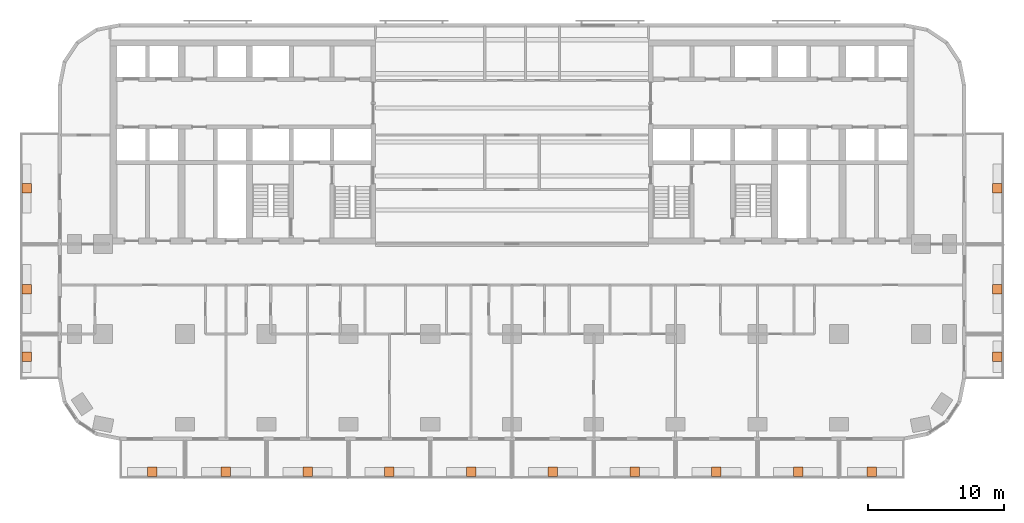
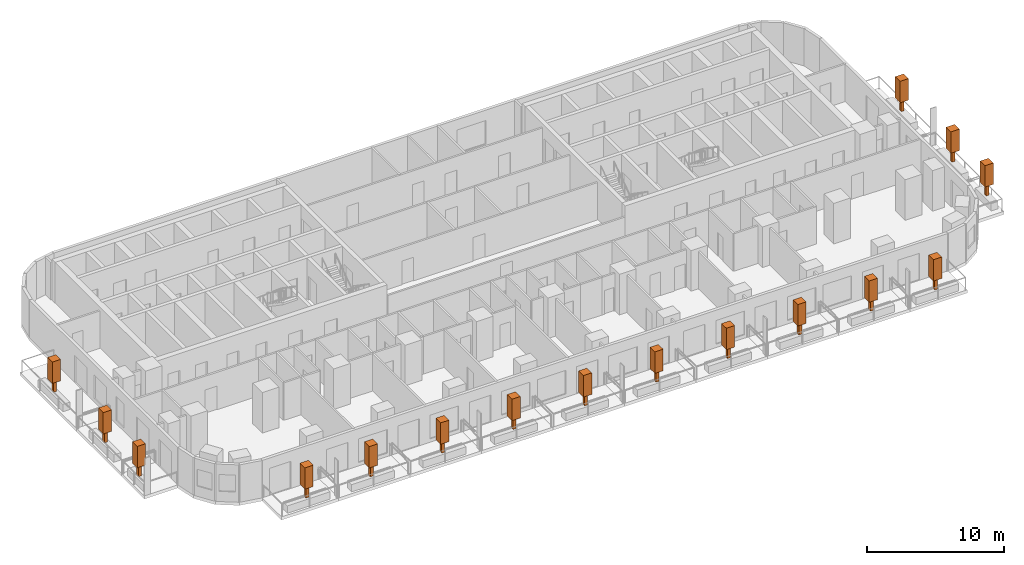
# One storey, part 14 of 14: 16 geographic elements.
"""IFC4 building model written with IfcOpenShell, lengths in metres."""

from ifc_helpers import new_model, si_unit, direction, frame, origin, origin_2d, place, context, subcontext, project, spatial, rectangle, extrude, material, element, save


model = new_model("IFC4")

# Units and contexts
model_context = context("Model", 3, precision=1e-05, world=origin(), true_north=direction((0.0, 1.0)))
body_context = subcontext(model_context, "Body", "Model", "MODEL_VIEW")
ifc_project = project(units=[si_unit("LENGTHUNIT", "METRE"), si_unit("AREAUNIT", "SQUARE_METRE"), si_unit("VOLUMEUNIT", "CUBIC_METRE"), si_unit("PLANEANGLEUNIT", "RADIAN"), si_unit("MASSUNIT", "GRAM", prefix="KILO")], contexts=[model_context])

# Site, building, storey
site_placement = place(None, origin())
site = spatial("IfcSite", under=ifc_project, at=site_placement, CompositionType="ELEMENT")
building_placement = place(site_placement, origin())
building = spatial("IfcBuilding", under=site, at=building_placement, Name="Torana Hotel and Residences", CompositionType="ELEMENT")
storey_placement = place(building_placement, frame((0.0, 0.0, 99.60009765625)))
storey = spatial("IfcBuildingStorey", under=building, at=storey_placement, Name="L25", CompositionType="ELEMENT", Elevation=99.60009765625)

# Geographic elements
ifc_material = material(Name="Foliage", Category="planting")
for number, where, z_axis, x_axis, name in (
    (1, (-26.39990234375, -31.699951171875, 0.64990234375), (0.0, 0.0, 1.0), (1.0, 0.0, 0.0), "Tree 01"),
    (2, (-21.0, -31.699951171875, 0.64990234375), (0.0, 0.0, 1.0), (1.0, 0.0, 0.0), "Tree 02"),
    (3, (-15.0, -31.699951171875, 0.64990234375), (0.0, 0.0, 1.0), (1.0, 0.0, 0.0), "Tree 03"),
    (4, (-9.0, -31.699951171875, 0.64990234375), (0.0, 0.0, 1.0), (1.0, 0.0, 0.0), "Tree 04"),
    (5, (-3.0, -31.699951171875, 0.64990234375), (0.0, 0.0, 1.0), (1.0, 0.0, 0.0), "Tree 05"),
    (6, (3.0, -31.699951171875, 0.64990234375), (0.0, 0.0, 1.0), (1.0, 0.0, 0.0), "Tree 06"),
    (7, (9.0, -31.699951171875, 0.64990234375), (0.0, 0.0, 1.0), (1.0, 0.0, 0.0), "Tree 07"),
    (8, (15.0, -31.699951171875, 0.64990234375), (0.0, 0.0, 1.0), (1.0, 0.0, 0.0), "Tree 08"),
    (9, (21.0, -31.699951171875, 0.64990234375), (0.0, 0.0, 1.0), (1.0, 0.0, 0.0), "Tree 09"),
    (10, (26.39990234375, -31.699951171875, 0.64990234375), (0.0, 0.0, 1.0), (1.0, 0.0, 0.0), "Tree 10"),
    (11, (-35.60009765625, -23.25, 0.64990234375), (0.0, 0.0, 1.0), (1.0, 0.0, 0.0), "Tree 11"),
    (12, (-35.60009765625, -18.300048828125, 0.64990234375), (0.0, 0.0, 1.0), (1.0, 0.0, 0.0), "Tree 12"),
    (13, (-35.60009765625, -10.89990234375, 0.64990234375), (0.0, 0.0, 1.0), (1.0, 0.0, 0.0), "Tree 13"),
    (14, (35.60009765625, -23.25, 0.64990234375), (0.0, 0.0, 1.0), (1.0, 0.0, 0.0), "Tree 14"),
    (15, (35.60009765625, -18.300048828125, 0.64990234375), (0.0, 0.0, 1.0), (1.0, 0.0, 0.0), "Tree 15"),
    (16, (35.60009765625, -10.89990234375, 0.64990234375), (0.0, 0.0, 1.0), (1.0, 0.0, 0.0), "Tree 16"),
):
    element("IfcGeographicElement", number, at=place(storey_placement, frame(where, z_axis=z_axis, x_axis=x_axis)), inside=storey, material=ifc_material, Name=name, ObjectType="TREE", PredefinedType="USERDEFINED", context=body_context, shape_type="SweptSolid", body=[
        extrude(rectangle(XDim=0.25, YDim=0.25, at=origin_2d()), origin(), (0.0, 0.0, 1.0), 1.0),
        extrude(rectangle(XDim=0.699951171875, YDim=0.699951171875, at=origin_2d()), frame((0.0, 0.0, 1.0)), (0.0, 0.0, 1.0), 1.89990234375),
    ])

save(model, "model.ifc")
